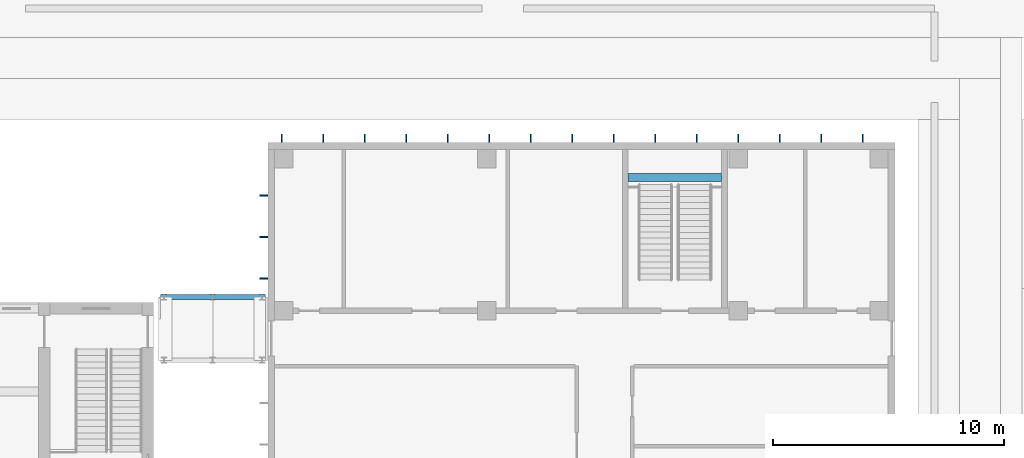
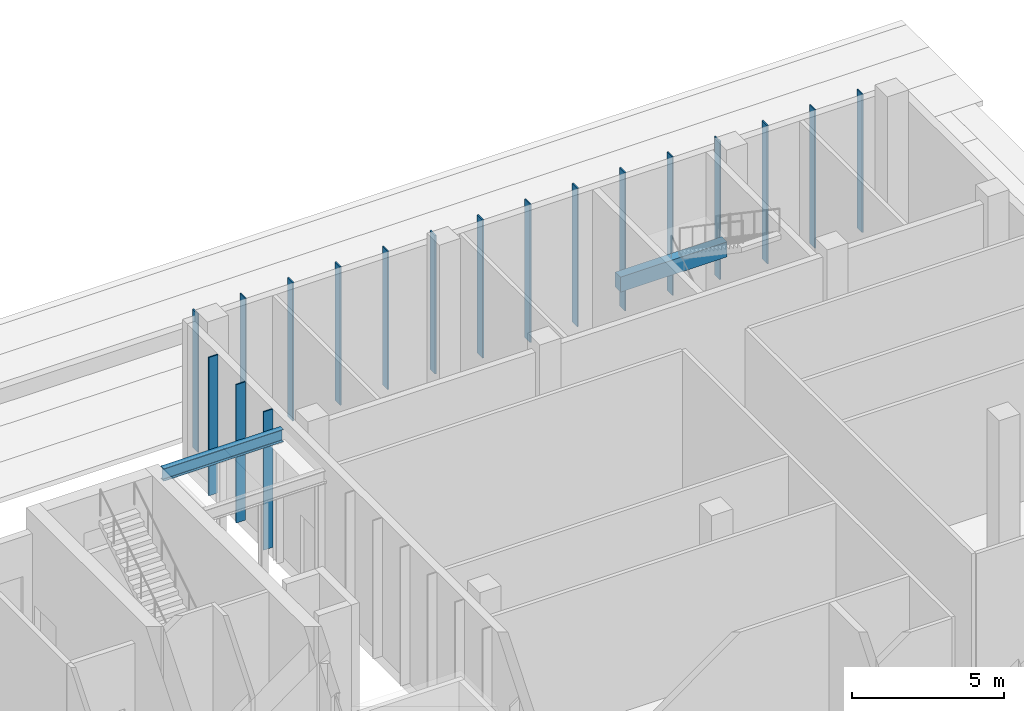
# One storey, part 40 of 71: 18 members, 2 beams.
"""IFC4 building model written with IfcOpenShell, lengths in metres."""

from ifc_helpers import new_model, si_unit, direction, frame, origin, origin_2d, place, context, subcontext, project, spatial, rectangle, i_section, extrude, material, material_profile, profile_set, type_object, element, save


model = new_model("IFC4")

# Units and contexts
model_context = context("Model", 3, precision=1e-05, world=origin(), true_north=direction((0.0, 1.0)))
body_context = subcontext(model_context, "Body", "Model", "MODEL_VIEW")
ifc_project = project(units=[si_unit("LENGTHUNIT", "METRE"), si_unit("AREAUNIT", "SQUARE_METRE"), si_unit("VOLUMEUNIT", "CUBIC_METRE"), si_unit("PLANEANGLEUNIT", "RADIAN"), si_unit("MASSUNIT", "GRAM", prefix="KILO")], contexts=[model_context])

# Site, building, storey
site_placement = place(None, origin())
site = spatial("IfcSite", under=ifc_project, at=site_placement, CompositionType="ELEMENT")
building_placement = place(site_placement, origin())
building = spatial("IfcBuilding", under=site, at=building_placement, Name="Basin Gate Institute", CompositionType="ELEMENT")
storey_placement = place(building_placement, origin())
storey = spatial("IfcBuildingStorey", under=building, at=storey_placement, Name="L00", CompositionType="ELEMENT", Elevation=0.0)

# Beams
ifc_material_1 = material(Name="Concrete 40 MPa", Category="concrete")
ifc_material_profile_1 = material_profile(ifc_material_1, rectangle(XDim=0.35009765625, YDim=0.60009765625, at=origin_2d()), Name="Beam B4 350 x 600")
ifc_profile_set_1 = profile_set([ifc_material_profile_1], Name="Concrete 40 MPa")
beam_type_1 = type_object("IfcBeamType", Name="Beam B4 R180", PredefinedType="BEAM", material=ifc_profile_set_1)
beam_1_placement = place(storey_placement, frame((139.625, 105.57373046875, 2.5), z_axis=(1.0, 0.0, 0.0), x_axis=(0.0, 1.0, 0.0)))
element("IfcBeam", 1, at=beam_1_placement, inside=storey, type_object=beam_type_1, material=ifc_profile_set_1, Name="Stair landing beam ST-C5 L00", PredefinedType="BEAM", context=body_context, shape_type="SweptSolid", body=[
    extrude(rectangle(XDim=0.35009765625, YDim=0.60009765625, at=origin_2d()), origin(), (0.0, 0.0, 1.0), 4.050048828125),
])
ifc_material_2 = material(Name="Structural steel SN490", Category="steel")
ifc_material_profile_2 = material_profile(ifc_material_2, i_section(OverallWidth=0.199951171875, OverallDepth=0.5, WebThickness=0.010009765625, FlangeThickness=0.01611328125, FilletRadius=0.02001953125, at=origin_2d()), Name="H500x200")
ifc_profile_set_2 = profile_set([ifc_material_profile_2], Name="Structural steel SN490")
beam_type_2 = type_object("IfcBeamType", Name="Canopy beam SB1 R180", PredefinedType="BEAM", material=ifc_profile_set_2)
beam_2_placement = place(storey_placement, frame((119.35009765625, 100.39990234375, 5.050048828125), z_axis=(1.0, 0.0, 0.0), x_axis=(0.0, 1.0, 0.0)))
element("IfcBeam", 2, at=beam_2_placement, inside=storey, type_object=beam_type_2, material=ifc_profile_set_2, Name="East court passage beam 2", PredefinedType="BEAM", context=body_context, shape_type="SweptSolid", body=[
    extrude(i_section(OverallWidth=0.199951171875, OverallDepth=0.5, WebThickness=0.010009765625, FlangeThickness=0.01611328125, FilletRadius=0.02001953125, at=origin_2d()), origin(), (0.0, 0.0, 1.0), 4.5498046875),
])

# Members
ifc_material_3 = material(Name="Anodised aluminium", Category="aluminium")
ifc_material_profile_3 = material_profile(ifc_material_3, rectangle(XDim=0.050048828125, YDim=0.35009765625, at=origin_2d()), Name="Louvre fin CF1 50 x 350")
ifc_profile_set_3 = profile_set([ifc_material_profile_3], Name="Anodised aluminium")
member_type = type_object("IfcMemberType", Name="Louvre fin CF1", PredefinedType="PLATE", material=ifc_profile_set_3)
for number, where, z_axis, x_axis, name in (
    (3, (124.60009765625, 107.27490234375, 0.0), (0.0, 0.0, 1.0), (1.0, 0.0, 0.0), "Louvre fin CF1 N1 L00"),
    (4, (126.39990234375, 107.27490234375, 0.0), (0.0, 0.0, 1.0), (1.0, 0.0, 0.0), "Louvre fin CF1 N2 L00"),
    (5, (128.199951171875, 107.27490234375, 0.0), (0.0, 0.0, 1.0), (1.0, 0.0, 0.0), "Louvre fin CF1 N3 L00"),
    (6, (130.0, 107.27490234375, 0.0), (0.0, 0.0, 1.0), (1.0, 0.0, 0.0), "Louvre fin CF1 N4 L00"),
    (7, (131.800048828125, 107.27490234375, 0.0), (0.0, 0.0, 1.0), (1.0, 0.0, 0.0), "Louvre fin CF1 N5 L00"),
    (8, (133.60009765625, 107.27490234375, 0.0), (0.0, 0.0, 1.0), (1.0, 0.0, 0.0), "Louvre fin CF1 N6 L00"),
    (9, (135.39990234375, 107.27490234375, 0.0), (0.0, 0.0, 1.0), (1.0, 0.0, 0.0), "Louvre fin CF1 N7 L00"),
    (10, (137.199951171875, 107.27490234375, 0.0), (0.0, 0.0, 1.0), (1.0, 0.0, 0.0), "Louvre fin CF1 N8 L00"),
    (11, (139.0, 107.27490234375, 0.0), (0.0, 0.0, 1.0), (1.0, 0.0, 0.0), "Louvre fin CF1 N9 L00"),
    (12, (140.800048828125, 107.27490234375, 0.0), (0.0, 0.0, 1.0), (1.0, 0.0, 0.0), "Louvre fin CF1 N10 L00"),
    (13, (142.60009765625, 107.27490234375, 0.0), (0.0, 0.0, 1.0), (1.0, 0.0, 0.0), "Louvre fin CF1 N11 L00"),
    (14, (144.39990234375, 107.27490234375, 0.0), (0.0, 0.0, 1.0), (1.0, 0.0, 0.0), "Louvre fin CF1 N12 L00"),
    (15, (146.199951171875, 107.27490234375, 0.0), (0.0, 0.0, 1.0), (1.0, 0.0, 0.0), "Louvre fin CF1 N13 L00"),
    (16, (148.0, 107.27490234375, 0.0), (0.0, 0.0, 1.0), (1.0, 0.0, 0.0), "Louvre fin CF1 N14 L00"),
    (17, (149.800048828125, 107.27490234375, 0.0), (0.0, 0.0, 1.0), (1.0, 0.0, 0.0), "Louvre fin CF1 N15 L00"),
    (18, (123.824951171875, 101.199951171875, 0.0), (0.0, 0.0, 1.0), (0.0, 1.0, 0.0), "Louvre fin CF1 W18 L00"),
    (19, (123.824951171875, 103.0, 0.0), (0.0, 0.0, 1.0), (0.0, 1.0, 0.0), "Louvre fin CF1 W19 L00"),
    (20, (123.824951171875, 104.800048828125, 0.0), (0.0, 0.0, 1.0), (0.0, 1.0, 0.0), "Louvre fin CF1 W20 L00"),
):
    element("IfcMember", number, at=place(storey_placement, frame(where, z_axis=z_axis, x_axis=x_axis)), inside=storey, type_object=member_type, material=ifc_profile_set_3, Name=name, PredefinedType="PLATE", context=body_context, shape_type="SweptSolid", body=[
        extrude(rectangle(XDim=0.050048828125, YDim=0.35009765625, at=origin_2d()), origin(), (0.0, 0.0, 1.0), 5.550048828125),
    ])

save(model, "model.ifc")
